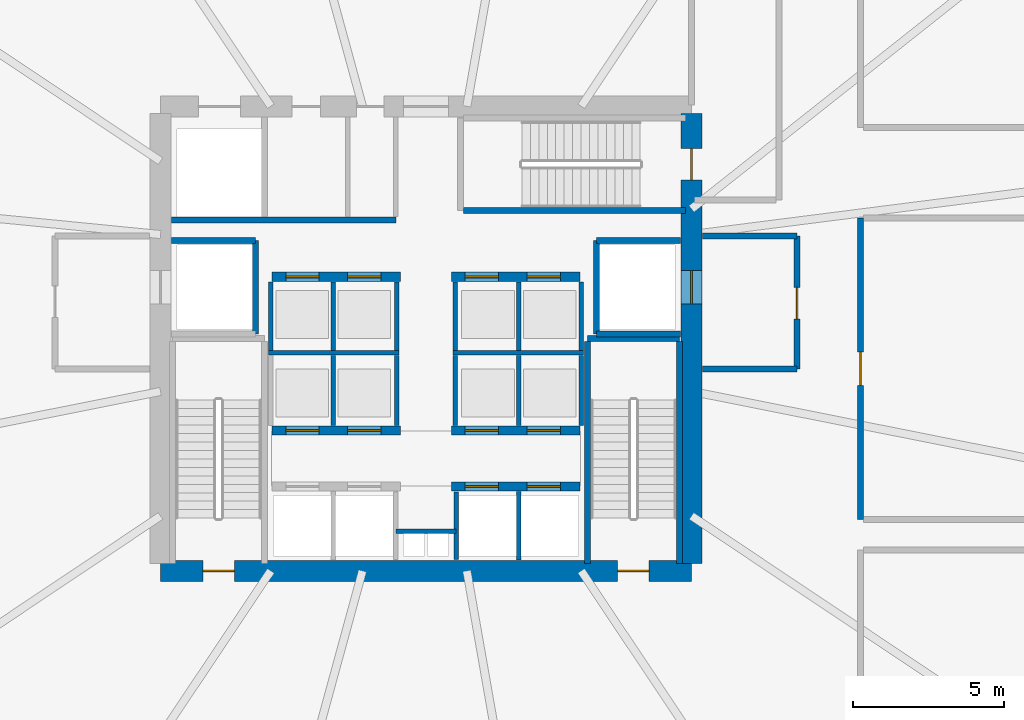
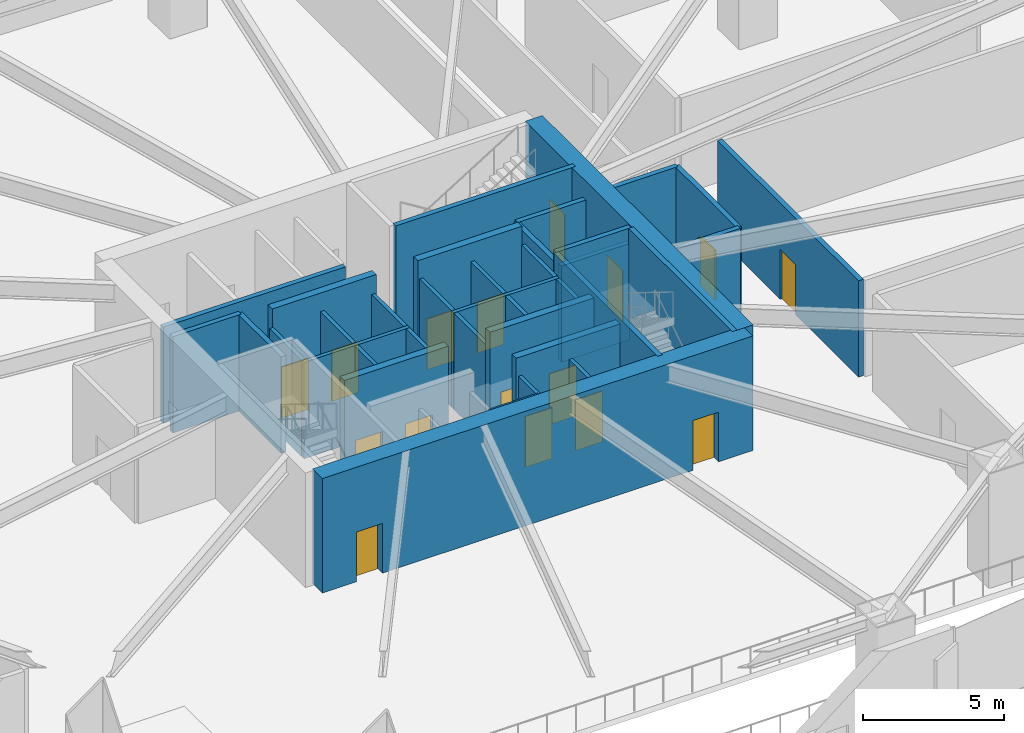
# One storey, part 24 of 35: 37 walls, 16 doors, 16 openings.
"""IFC4 building model written with IfcOpenShell, lengths in metres."""

from ifc_helpers import new_model, si_unit, direction, frame, frame_2d, origin, place, context, subcontext, project, spatial, rectangle, extrude, source, transform, mapped, material, layer, layer_set, type_object, element, fill, save


model = new_model("IFC4")

# Units and contexts
model_context = context("Model", 3, precision=1e-05, world=origin(), true_north=direction((0.0, 1.0)))
body_context = subcontext(model_context, "Body", "Model", "MODEL_VIEW")
ifc_project = project(units=[si_unit("LENGTHUNIT", "METRE"), si_unit("AREAUNIT", "SQUARE_METRE"), si_unit("VOLUMEUNIT", "CUBIC_METRE"), si_unit("PLANEANGLEUNIT", "RADIAN"), si_unit("MASSUNIT", "GRAM", prefix="KILO"), si_unit("THERMODYNAMICTEMPERATUREUNIT", "KELVIN")], contexts=[model_context])

# Site, building, storey
site_placement = place(None, origin())
site = spatial("IfcSite", under=ifc_project, at=site_placement, CompositionType="ELEMENT")
building_placement = place(site_placement, origin())
building = spatial("IfcBuilding", under=site, at=building_placement, Name="Kethvar Cultural Tower", CompositionType="ELEMENT")
storey_placement = place(building_placement, origin())
storey = spatial("IfcBuildingStorey", under=building, at=storey_placement, Name="L00", CompositionType="ELEMENT", Elevation=0.0)

# Wall, openings, doors
ifc_material_1 = material(Name="Concrete C60/75", Category="concrete")
ifc_layer_1 = layer(ifc_material_1, 0.699951171875, Name="Concrete C60/75", Category="concrete")
ifc_layer_set_1 = layer_set([ifc_layer_1], Name="Concrete C60/75 (700 mm)")
wall_type_1 = type_object("IfcWallType", Name="WL-CORE-700", PredefinedType="SHEAR", material=ifc_layer_set_1)
wall_1_placement = place(storey_placement, frame((38.0, 20.10009765625, 0.0), z_axis=(0.0, 0.0, 1.0), x_axis=(1.0, 0.0, 0.0)))
wall_1 = element("IfcWall", 1, at=wall_1_placement, inside=storey, type_object=wall_type_1, Name="L00 Core Shear Wall S", PredefinedType="SHEAR", context=body_context, shape_type="SweptSolid", body=[
    extrude(rectangle(XDim=17.60009765625, YDim=0.699951171875, at=frame_2d((8.800048828125, 0.0))), origin(), (0.0, 0.0, 1.0), 4.949951171875),
])
opening_1_placement = place(wall_1_placement, frame((1.39990234375, 0.0, 0.0)))
opening_1 = element("IfcOpeningElement", 2, at=opening_1_placement, cuts=wall_1, Name="Opening D-L00-S1", PredefinedType="OPENING", context=body_context, shape_type="SweptSolid", body=[
    extrude(rectangle(XDim=1.050048828125, YDim=2.14990234375, at=frame_2d((0.52490234375, 1.074951171875))), frame((0.0, 0.35986328125, 0.0), z_axis=(0.0, -1.0, 0.0), x_axis=(1.0, 0.0, 0.0)), (0.0, 0.0, 1.0), 0.719970703125),
])
opening_2_placement = place(wall_1_placement, frame((15.14990234375, 0.0, 0.0)))
opening_2 = element("IfcOpeningElement", 3, at=opening_2_placement, cuts=wall_1, Name="Opening D-L00-ST2", PredefinedType="OPENING", context=body_context, shape_type="SweptSolid", body=[
    extrude(rectangle(XDim=1.050048828125, YDim=2.14990234375, at=frame_2d((0.52490234375, 1.074951171875))), frame((0.0, 0.35986328125, 0.0), z_axis=(0.0, -1.0, 0.0), x_axis=(1.0, 0.0, 0.0)), (0.0, 0.0, 1.0), 0.719970703125),
])
ifc_material_2 = material(Name="Steel S355J2", Category="steel")
door_type_1 = type_object("IfcDoorType", Name="DR-FD60-1050", OperationType="NOTDEFINED", PredefinedType="DOOR", material=ifc_material_2)
shared_shape_1 = source(origin(), body_context, "Body", "SweptSolid", [
    extrude(rectangle(XDim=1.050048828125, YDim=2.14990234375, at=frame_2d((0.52490234375, 1.074951171875))), frame((0.0, 0.02490234375, 0.0), z_axis=(0.0, -1.0, 0.0), x_axis=(1.0, 0.0, 0.0)), (0.0, 0.0, 1.0), 0.050048828125),
])
door_1_placement = place(opening_1_placement, origin())
door_1 = element("IfcDoor", 4, at=door_1_placement, inside=storey, type_object=door_type_1, Name="L00 Exit Stair 1 Door", OperationType="SINGLE_SWING_LEFT", OverallHeight=2.14990234375, OverallWidth=1.050048828125, PredefinedType="DOOR", context=body_context, shape_type="MappedRepresentation", body=[
    mapped(shared_shape_1, transform((0.0, 0.0, 0.0), scale=1.0)),
])
fill(opening_1, door_1)
door_2_placement = place(opening_2_placement, origin())
door_2 = element("IfcDoor", 5, at=door_2_placement, inside=storey, type_object=door_type_1, Name="L00 Exit Stair 2 Door", OperationType="SINGLE_SWING_RIGHT", OverallHeight=2.14990234375, OverallWidth=1.050048828125, PredefinedType="DOOR", context=body_context, shape_type="MappedRepresentation", body=[
    mapped(shared_shape_1, transform((0.0, 0.0, 0.0), scale=1.0)),
])
fill(opening_2, door_2)

wall_2_placement = place(storey_placement, frame((55.60009765625, 20.340087890625, 0.0), z_axis=(0.0, 0.0, 1.0), x_axis=(0.0, 1.0, 0.0)))
wall_2 = element("IfcWall", 6, at=wall_2_placement, inside=storey, type_object=wall_type_1, Name="L00 Core Shear Wall E", PredefinedType="SHEAR", context=body_context, shape_type="SweptSolid", body=[
    extrude(rectangle(XDim=14.919921875, YDim=0.699951171875, at=frame_2d((7.4599609375, 0.0))), origin(), (0.0, 0.0, 1.0), 4.949951171875),
])
opening_3_placement = place(wall_2_placement, frame((12.7099609375, 0.0, 0.0)))
opening_3 = element("IfcOpeningElement", 7, at=opening_3_placement, cuts=wall_2, Name="Opening D-L00-S3", PredefinedType="OPENING", context=body_context, shape_type="SweptSolid", body=[
    extrude(rectangle(XDim=1.050048828125, YDim=2.14990234375, at=frame_2d((0.52490234375, 1.074951171875))), frame((0.0, 0.35986328125, 0.0), z_axis=(0.0, -1.0, 0.0), x_axis=(1.0, 0.0, 0.0)), (0.0, 0.0, 1.0), 0.719970703125),
])
opening_4_placement = place(wall_2_placement, frame((8.610107421875, 0.0, 0.0)))
opening_4 = element("IfcOpeningElement", 8, at=opening_4_placement, cuts=wall_2, Name="Opening LD-2", PredefinedType="OPENING", context=body_context, shape_type="SweptSolid", body=[
    extrude(rectangle(XDim=1.10009765625, YDim=2.199951171875, at=frame_2d((0.550048828125, 1.10009765625))), frame((0.0, 0.35986328125, 0.0), z_axis=(0.0, -1.0, 0.0), x_axis=(1.0, 0.0, 0.0)), (0.0, 0.0, 1.0), 0.719970703125),
])
door_3_placement = place(opening_3_placement, origin())
door_3 = element("IfcDoor", 9, at=door_3_placement, inside=storey, type_object=door_type_1, Name="L00 Exit Stair 3 Door", OperationType="SINGLE_SWING_LEFT", OverallHeight=2.14990234375, OverallWidth=1.050048828125, PredefinedType="DOOR", context=body_context, shape_type="MappedRepresentation", body=[
    mapped(shared_shape_1, transform((0.0, 0.0, 0.0), scale=1.0)),
])
fill(opening_3, door_3)
door_type_2 = type_object("IfcDoorType", Name="DR-LIFT-SLIDE-1100", OperationType="NOTDEFINED", PredefinedType="DOOR", material=ifc_material_2)
shared_shape_2 = source(origin(), body_context, "Body", "SweptSolid", [
    extrude(rectangle(XDim=1.10009765625, YDim=2.199951171875, at=frame_2d((0.550048828125, 1.10009765625))), frame((0.0, 0.02490234375, 0.0), z_axis=(0.0, -1.0, 0.0), x_axis=(1.0, 0.0, 0.0)), (0.0, 0.0, 1.0), 0.050048828125),
])
door_4_placement = place(opening_4_placement, origin())
door_4 = element("IfcDoor", 10, at=door_4_placement, inside=storey, type_object=door_type_2, Name="L00 Firefighting Lift Landing Door FFL-02", OperationType="SLIDING_TO_RIGHT", OverallHeight=2.199951171875, OverallWidth=1.10009765625, PredefinedType="DOOR", context=body_context, shape_type="MappedRepresentation", body=[
    mapped(shared_shape_2, transform((0.0, 0.0, 0.0), scale=1.0)),
])
fill(opening_4, door_4)

# Walls
ifc_material_3 = material(Name="Gypsum Fireboard Partition")
ifc_layer_2 = layer(ifc_material_3, 0.14990234375, Name="Gypsum Fireboard Partition")
ifc_layer_set_2 = layer_set([ifc_layer_2], Name="Gypsum Fireboard Partition (150 mm)")
wall_type_2 = type_object("IfcWallType", Name="WL-FIRE-150", PredefinedType="PARTITIONING", material=ifc_layer_set_2)
wall_3_placement = place(storey_placement, frame((45.800048828125, 21.419921875, 0.0), z_axis=(0.0, 0.0, 1.0), x_axis=(1.0, 0.0, 0.0)))
element("IfcWall", 11, at=wall_3_placement, inside=storey, type_object=wall_type_2, Name="L00 Core Riser Wall", PredefinedType="PARTITIONING", context=body_context, shape_type="SweptSolid", body=[
    extrude(rectangle(XDim=2.0, YDim=0.14990234375, at=frame_2d((1.0, 0.0))), origin(), (0.0, 0.0, 1.0), 4.1630859375),
])
wall_4_placement = place(storey_placement, frame((47.800048828125, 20.47998046875, 0.0), z_axis=(0.0, 0.0, 1.0), x_axis=(0.0, 1.0, 0.0)))
element("IfcWall", 12, at=wall_4_placement, inside=storey, type_object=wall_type_2, Name="L00 Core Riser East Wall", PredefinedType="PARTITIONING", context=body_context, shape_type="SweptSolid", body=[
    extrude(rectangle(XDim=2.239990234375, YDim=0.14990234375, at=frame_2d((1.1201171875, 0.0))), origin(), (0.0, 0.0, 1.0), 4.1630859375),
])
wall_5_placement = place(storey_placement, frame((49.875, 20.4599609375, 0.0), z_axis=(0.0, 0.0, 1.0), x_axis=(0.0, 1.0, 0.0)))
element("IfcWall", 13, at=wall_5_placement, inside=storey, type_object=wall_type_2, Name="L00 Low-Rise Lift Shaft Divider E", PredefinedType="PARTITIONING", context=body_context, shape_type="SweptSolid", body=[
    extrude(rectangle(XDim=2.27001953125, YDim=0.14990234375, at=frame_2d((1.135009765625, 0.0))), origin(), (0.0, 0.0, 1.0), 4.1630859375),
])
wall_6_placement = place(storey_placement, frame((41.580078125, 27.324951171875, 0.0), z_axis=(0.0, 0.0, 1.0), x_axis=(1.0, 0.0, 0.0)))
element("IfcWall", 14, at=wall_6_placement, inside=storey, type_object=wall_type_2, Name="L00 Mid-High Lift Shaft Back Wall W", PredefinedType="PARTITIONING", context=body_context, shape_type="SweptSolid", body=[
    extrude(rectangle(XDim=4.31982421875, YDim=0.14990234375, at=frame_2d((2.159912109375, 0.0))), origin(), (0.0, 0.0, 1.0), 4.1630859375),
])
wall_7_placement = place(storey_placement, frame((47.699951171875, 27.324951171875, 0.0), z_axis=(0.0, 0.0, 1.0), x_axis=(1.0, 0.0, 0.0)))
element("IfcWall", 15, at=wall_7_placement, inside=storey, type_object=wall_type_2, Name="L00 Mid-High Lift Shaft Back Wall E", PredefinedType="PARTITIONING", context=body_context, shape_type="SweptSolid", body=[
    extrude(rectangle(XDim=4.320068359375, YDim=0.14990234375, at=frame_2d((2.16015625, 0.0))), origin(), (0.0, 0.0, 1.0), 4.1630859375),
])
for number, where, z_axis, x_axis, name in (
    (16, (43.72509765625, 24.919921875, 0.0), (0.0, 0.0, 1.0), (0.0, 1.0, 0.0), "L00 Mid-Rise Lift Shaft Divider W"),
    (17, (45.824951171875, 24.919921875, 0.0), (0.0, 0.0, 1.0), (0.0, 1.0, 0.0), "L00 Mid-Rise Lift Shaft Concourse Wall W"),
    (18, (47.77490234375, 24.919921875, 0.0), (0.0, 0.0, 1.0), (0.0, 1.0, 0.0), "L00 Mid-Rise Lift Shaft Concourse Wall E"),
    (19, (49.875, 24.919921875, 0.0), (0.0, 0.0, 1.0), (0.0, 1.0, 0.0), "L00 Mid-Rise Lift Shaft Divider E"),
    (20, (51.949951171875, 24.919921875, 0.0), (0.0, 0.0, 1.0), (0.0, 1.0, 0.0), "L00 Mid-Rise Lift Shaft Outer Wall E"),
):
    element("IfcWall", number, at=place(storey_placement, frame(where, z_axis=z_axis, x_axis=x_axis)), inside=storey, type_object=wall_type_2, Name=name, PredefinedType="PARTITIONING", context=body_context, shape_type="SweptSolid", body=[
        extrude(rectangle(XDim=2.320068359375, YDim=0.14990234375, at=frame_2d((1.16015625, 0.0))), origin(), (0.0, 0.0, 1.0), 4.1630859375),
    ])
for number, where, z_axis, x_axis, name in (
    (21, (41.64990234375, 27.409912109375, 0.0), (0.0, 0.0, 1.0), (0.0, 1.0, 0.0), "L00 High-Rise Lift Shaft Outer Wall W"),
    (22, (43.72509765625, 27.409912109375, 0.0), (0.0, 0.0, 1.0), (0.0, 1.0, 0.0), "L00 High-Rise Lift Shaft Divider W"),
    (23, (45.824951171875, 27.409912109375, 0.0), (0.0, 0.0, 1.0), (0.0, 1.0, 0.0), "L00 High-Rise Lift Shaft Concourse Wall W"),
    (24, (47.77490234375, 27.409912109375, 0.0), (0.0, 0.0, 1.0), (0.0, 1.0, 0.0), "L00 High-Rise Lift Shaft Concourse Wall E"),
    (25, (49.875, 27.409912109375, 0.0), (0.0, 0.0, 1.0), (0.0, 1.0, 0.0), "L00 High-Rise Lift Shaft Divider E"),
    (26, (51.949951171875, 27.409912109375, 0.0), (0.0, 0.0, 1.0), (0.0, 1.0, 0.0), "L00 High-Rise Lift Shaft Outer Wall E"),
):
    element("IfcWall", number, at=place(storey_placement, frame(where, z_axis=z_axis, x_axis=x_axis)), inside=storey, type_object=wall_type_2, Name=name, PredefinedType="PARTITIONING", context=body_context, shape_type="SweptSolid", body=[
        extrude(rectangle(XDim=2.27001953125, YDim=0.14990234375, at=frame_2d((1.135009765625, 0.0))), origin(), (0.0, 0.0, 1.0), 4.1630859375),
    ])
ifc_material_4 = material(Name="Concrete C40/50", Category="concrete")
ifc_layer_3 = layer(ifc_material_4, 0.199951171875, Name="Concrete C40/50", Category="concrete")
ifc_layer_set_3 = layer_set([ifc_layer_3], Name="Concrete C40/50 (200 mm)")
wall_type_3 = type_object("IfcWallType", Name="WL-FIRE-200", PredefinedType="PARTITIONING", material=ifc_layer_set_3)
wall_8_placement = place(storey_placement, frame((41.14990234375, 27.949951171875, 0.0), z_axis=(0.0, 0.0, 1.0), x_axis=(0.0, 1.0, 0.0)))
element("IfcWall", 27, at=wall_8_placement, inside=storey, type_object=wall_type_3, Name="L00 FFL-01 Shaft Inner Wall", PredefinedType="PARTITIONING", context=body_context, shape_type="SweptSolid", body=[
    extrude(rectangle(XDim=3.10009765625, YDim=0.199951171875, at=frame_2d((1.550048828125, 0.0))), origin(), (0.0, 0.0, 1.0), 4.1630859375),
])
wall_9_placement = place(storey_placement, frame((38.360107421875, 31.050048828125, 0.0), z_axis=(0.0, 0.0, 1.0), x_axis=(1.0, 0.0, 0.0)))
element("IfcWall", 28, at=wall_9_placement, inside=storey, type_object=wall_type_3, Name="L00 FFL-01 Shaft North Wall", PredefinedType="PARTITIONING", context=body_context, shape_type="SweptSolid", body=[
    extrude(rectangle(XDim=2.789794921875, YDim=0.199951171875, at=frame_2d((1.39501953125, 0.0))), origin(), (0.0, 0.0, 1.0), 4.1630859375),
])
wall_10_placement = place(storey_placement, frame((52.449951171875, 27.949951171875, 0.0), z_axis=(0.0, 0.0, 1.0), x_axis=(0.0, 1.0, 0.0)))
element("IfcWall", 29, at=wall_10_placement, inside=storey, type_object=wall_type_3, Name="L00 FFL-02 Shaft Inner Wall", PredefinedType="PARTITIONING", context=body_context, shape_type="SweptSolid", body=[
    extrude(rectangle(XDim=3.10009765625, YDim=0.199951171875, at=frame_2d((1.550048828125, 0.0))), origin(), (0.0, 0.0, 1.0), 4.1630859375),
])
for number, where, z_axis, x_axis, name in (
    (30, (52.449951171875, 27.949951171875, 0.0), (0.0, 0.0, 1.0), (1.0, 0.0, 0.0), "L00 FFL-02 Shaft South Wall"),
    (31, (52.449951171875, 31.050048828125, 0.0), (0.0, 0.0, 1.0), (1.0, 0.0, 0.0), "L00 FFL-02 Shaft North Wall"),
):
    element("IfcWall", number, at=place(storey_placement, frame(where, z_axis=z_axis, x_axis=x_axis)), inside=storey, type_object=wall_type_3, Name=name, PredefinedType="PARTITIONING", context=body_context, shape_type="SweptSolid", body=[
        extrude(rectangle(XDim=2.7900390625, YDim=0.199951171875, at=frame_2d((1.39501953125, 0.0))), origin(), (0.0, 0.0, 1.0), 4.1630859375),
    ])

# Wall, opening, door
wall_11_placement = place(storey_placement, frame((59.10009765625, 26.800048828125, 0.0), z_axis=(0.0, 0.0, 1.0), x_axis=(0.0, 1.0, 0.0)))
wall_11 = element("IfcWall", 32, at=wall_11_placement, inside=storey, type_object=wall_type_3, Name="L00 Firefighting Lobby 2 Wall", PredefinedType="PARTITIONING", context=body_context, shape_type="SweptSolid", body=[
    extrude(rectangle(XDim=4.39990234375, YDim=0.199951171875, at=frame_2d((2.199951171875, 0.0))), origin(), (0.0, 0.0, 1.0), 4.1630859375),
])
opening_5_placement = place(wall_11_placement, frame((1.64990234375, 0.0, 0.0)))
opening_5 = element("IfcOpeningElement", 33, at=opening_5_placement, cuts=wall_11, Name="Opening D-L00-F2", PredefinedType="OPENING", context=body_context, shape_type="SweptSolid", body=[
    extrude(rectangle(XDim=1.050048828125, YDim=2.14990234375, at=frame_2d((0.52490234375, 1.074951171875))), frame((0.0, 0.10986328125, 0.0), z_axis=(0.0, -1.0, 0.0), x_axis=(1.0, 0.0, 0.0)), (0.0, 0.0, 1.0), 0.219970703125),
])
door_5_placement = place(opening_5_placement, origin())
door_5 = element("IfcDoor", 34, at=door_5_placement, inside=storey, type_object=door_type_1, Name="L00 Firefighting Lobby 2 Fire Door", OperationType="SINGLE_SWING_LEFT", OverallHeight=2.14990234375, OverallWidth=1.050048828125, PredefinedType="DOOR", context=body_context, shape_type="MappedRepresentation", body=[
    mapped(shared_shape_1, transform((0.0, 0.0, 0.0), scale=1.0)),
])
fill(opening_5, door_5)

# Walls
for number, where, z_axis, x_axis, name in (
    (35, (55.9599609375, 26.800048828125, 0.0), (0.0, 0.0, 1.0), (1.0, 0.0, 0.0), "L00 FF Lobby 2 South Wall"),
    (36, (55.9599609375, 31.199951171875, 0.0), (0.0, 0.0, 1.0), (1.0, 0.0, 0.0), "L00 FF Lobby 2 North Wall"),
):
    element("IfcWall", number, at=place(storey_placement, frame(where, z_axis=z_axis, x_axis=x_axis)), inside=storey, type_object=wall_type_3, Name=name, PredefinedType="PARTITIONING", context=body_context, shape_type="SweptSolid", body=[
        extrude(rectangle(XDim=3.14013671875, YDim=0.199951171875, at=frame_2d((1.570068359375, 0.0))), origin(), (0.0, 0.0, 1.0), 4.1630859375),
    ])
wall_12_placement = place(storey_placement, frame((38.360107421875, 31.72998046875, 0.0), z_axis=(0.0, 0.0, 1.0), x_axis=(1.0, 0.0, 0.0)))
element("IfcWall", 37, at=wall_12_placement, inside=storey, type_object=wall_type_3, Name="L00 North Core Sanitary South Wall", PredefinedType="PARTITIONING", context=body_context, shape_type="SweptSolid", body=[
    extrude(rectangle(XDim=7.43994140625, YDim=0.199951171875, at=frame_2d((3.719970703125, 0.0))), origin(), (0.0, 0.0, 1.0), 4.1630859375),
])

# Wall, opening, door
wall_13_placement = place(storey_placement, frame((61.199951171875, 21.800048828125, 0.0), z_axis=(0.0, 0.0, 1.0), x_axis=(0.0, 1.0, 0.0)))
wall_13 = element("IfcWall", 38, at=wall_13_placement, inside=storey, type_object=wall_type_3, Name="L00 Orientation Gallery Hall Entry Wall", PredefinedType="PARTITIONING", context=body_context, shape_type="SweptSolid", body=[
    extrude(rectangle(XDim=10.0, YDim=0.199951171875, at=frame_2d((5.0, 0.0))), origin(), (0.0, 0.0, 1.0), 4.1630859375),
])
opening_6_placement = place(wall_13_placement, frame((4.449951171875, 0.0, 0.0)))
opening_6 = element("IfcOpeningElement", 39, at=opening_6_placement, cuts=wall_13, Name="Opening D-L00-GA", PredefinedType="OPENING", context=body_context, shape_type="SweptSolid", body=[
    extrude(rectangle(XDim=1.10009765625, YDim=2.14990234375, at=frame_2d((0.550048828125, 1.074951171875))), frame((0.0, 0.10986328125, 0.0), z_axis=(0.0, -1.0, 0.0), x_axis=(1.0, 0.0, 0.0)), (0.0, 0.0, 1.0), 0.219970703125),
])
door_type_3 = type_object("IfcDoorType", Name="DR-FD60-1100", OperationType="NOTDEFINED", PredefinedType="DOOR", material=ifc_material_2)
shared_shape_3 = source(origin(), body_context, "Body", "SweptSolid", [
    extrude(rectangle(XDim=1.10009765625, YDim=2.14990234375, at=frame_2d((0.550048828125, 1.074951171875))), frame((0.0, 0.02490234375, 0.0), z_axis=(0.0, -1.0, 0.0), x_axis=(1.0, 0.0, 0.0)), (0.0, 0.0, 1.0), 0.050048828125),
])
door_6_placement = place(opening_6_placement, origin())
door_6 = element("IfcDoor", 40, at=door_6_placement, inside=storey, type_object=door_type_3, Name="Orientation Gallery Hall Door", OperationType="SINGLE_SWING_LEFT", OverallHeight=2.14990234375, OverallWidth=1.10009765625, PredefinedType="DOOR", context=body_context, shape_type="MappedRepresentation", body=[
    mapped(shared_shape_3, transform((0.0, 0.0, 0.0), scale=1.0)),
])
fill(opening_6, door_6)

# Wall, openings, doors
ifc_material_5 = material(Name="Concrete C50/60", Category="concrete")
ifc_layer_4 = layer(ifc_material_5, 0.300048828125, Name="Concrete C50/60", Category="concrete")
ifc_layer_set_4 = layer_set([ifc_layer_4], Name="Concrete C50/60 (300 mm)")
wall_type_4 = type_object("IfcWallType", Name="WL-SHAFT-300", PredefinedType="SHEAR", material=ifc_layer_set_4)
wall_14_placement = place(storey_placement, frame((47.64990234375, 22.89990234375, 0.0), z_axis=(0.0, 0.0, 1.0), x_axis=(1.0, 0.0, 0.0)))
wall_14 = element("IfcWall", 41, at=wall_14_placement, inside=storey, type_object=wall_type_4, Name="L00 Core Lift Spine Wall MID1E", PredefinedType="SHEAR", context=body_context, shape_type="SweptSolid", body=[
    extrude(rectangle(XDim=4.25, YDim=0.300048828125, at=frame_2d((2.125, 0.0))), origin(), (0.0, 0.0, 1.0), 4.949951171875),
])
opening_7_placement = place(wall_14_placement, frame((0.449951171875, 0.0, 0.0)))
opening_7 = element("IfcOpeningElement", 42, at=opening_7_placement, cuts=wall_14, Name="Opening LD-L3", PredefinedType="OPENING", context=body_context, shape_type="SweptSolid", body=[
    extrude(rectangle(XDim=1.10009765625, YDim=2.199951171875, at=frame_2d((0.550048828125, 1.10009765625))), frame((0.0, 0.159912109375, 0.0), z_axis=(0.0, -1.0, 0.0), x_axis=(1.0, 0.0, 0.0)), (0.0, 0.0, 1.0), 0.320068359375),
])
opening_8_placement = place(wall_14_placement, frame((2.5, 0.0, 0.0)))
opening_8 = element("IfcOpeningElement", 43, at=opening_8_placement, cuts=wall_14, Name="Opening LD-L4", PredefinedType="OPENING", context=body_context, shape_type="SweptSolid", body=[
    extrude(rectangle(XDim=1.10009765625, YDim=2.199951171875, at=frame_2d((0.550048828125, 1.10009765625))), frame((0.0, 0.159912109375, 0.0), z_axis=(0.0, -1.0, 0.0), x_axis=(1.0, 0.0, 0.0)), (0.0, 0.0, 1.0), 0.320068359375),
])
door_7_placement = place(opening_7_placement, origin())
door_7 = element("IfcDoor", 44, at=door_7_placement, inside=storey, type_object=door_type_2, Name="L00 Low-Rise Lift Landing Door L3", OperationType="SLIDING_TO_LEFT", OverallHeight=2.199951171875, OverallWidth=1.10009765625, PredefinedType="DOOR", context=body_context, shape_type="MappedRepresentation", body=[
    mapped(shared_shape_2, transform((0.0, 0.0, 0.0), scale=1.0)),
])
fill(opening_7, door_7)
door_8_placement = place(opening_8_placement, origin())
door_8 = element("IfcDoor", 45, at=door_8_placement, inside=storey, type_object=door_type_2, Name="L00 Low-Rise Lift Landing Door L4", OperationType="SLIDING_TO_LEFT", OverallHeight=2.199951171875, OverallWidth=1.10009765625, PredefinedType="DOOR", context=body_context, shape_type="MappedRepresentation", body=[
    mapped(shared_shape_2, transform((0.0, 0.0, 0.0), scale=1.0)),
])
fill(opening_8, door_8)

wall_15_placement = place(storey_placement, frame((41.699951171875, 24.75, 0.0), z_axis=(0.0, 0.0, 1.0), x_axis=(1.0, 0.0, 0.0)))
wall_15 = element("IfcWall", 46, at=wall_15_placement, inside=storey, type_object=wall_type_4, Name="L00 Core Lift Spine Wall MID2W", PredefinedType="SHEAR", context=body_context, shape_type="SweptSolid", body=[
    extrude(rectangle(XDim=4.25, YDim=0.300048828125, at=frame_2d((2.125, 0.0))), origin(), (0.0, 0.0, 1.0), 4.949951171875),
])
opening_9_placement = place(wall_15_placement, frame((0.449951171875, 0.0, 0.0)))
opening_9 = element("IfcOpeningElement", 47, at=opening_9_placement, cuts=wall_15, Name="Opening LD-M1", PredefinedType="OPENING", context=body_context, shape_type="SweptSolid", body=[
    extrude(rectangle(XDim=1.10009765625, YDim=2.199951171875, at=frame_2d((0.550048828125, 1.10009765625))), frame((0.0, 0.159912109375, 0.0), z_axis=(0.0, -1.0, 0.0), x_axis=(1.0, 0.0, 0.0)), (0.0, 0.0, 1.0), 0.320068359375),
])
opening_10_placement = place(wall_15_placement, frame((2.5, 0.0, 0.0)))
opening_10 = element("IfcOpeningElement", 48, at=opening_10_placement, cuts=wall_15, Name="Opening LD-M2", PredefinedType="OPENING", context=body_context, shape_type="SweptSolid", body=[
    extrude(rectangle(XDim=1.10009765625, YDim=2.199951171875, at=frame_2d((0.550048828125, 1.10009765625))), frame((0.0, 0.159912109375, 0.0), z_axis=(0.0, -1.0, 0.0), x_axis=(1.0, 0.0, 0.0)), (0.0, 0.0, 1.0), 0.320068359375),
])
door_9_placement = place(opening_9_placement, origin())
door_9 = element("IfcDoor", 49, at=door_9_placement, inside=storey, type_object=door_type_2, Name="L00 Mid-Rise Lift Landing Door M1", OperationType="SLIDING_TO_RIGHT", OverallHeight=2.199951171875, OverallWidth=1.10009765625, PredefinedType="DOOR", context=body_context, shape_type="MappedRepresentation", body=[
    mapped(shared_shape_2, transform((0.0, 0.0, 0.0), scale=1.0)),
])
fill(opening_9, door_9)
door_10_placement = place(opening_10_placement, origin())
door_10 = element("IfcDoor", 50, at=door_10_placement, inside=storey, type_object=door_type_2, Name="L00 Mid-Rise Lift Landing Door M2", OperationType="SLIDING_TO_RIGHT", OverallHeight=2.199951171875, OverallWidth=1.10009765625, PredefinedType="DOOR", context=body_context, shape_type="MappedRepresentation", body=[
    mapped(shared_shape_2, transform((0.0, 0.0, 0.0), scale=1.0)),
])
fill(opening_10, door_10)

wall_16_placement = place(storey_placement, frame((47.64990234375, 24.75, 0.0), z_axis=(0.0, 0.0, 1.0), x_axis=(1.0, 0.0, 0.0)))
wall_16 = element("IfcWall", 51, at=wall_16_placement, inside=storey, type_object=wall_type_4, Name="L00 Core Lift Spine Wall MID2E", PredefinedType="SHEAR", context=body_context, shape_type="SweptSolid", body=[
    extrude(rectangle(XDim=4.25, YDim=0.300048828125, at=frame_2d((2.125, 0.0))), origin(), (0.0, 0.0, 1.0), 4.949951171875),
])
opening_11_placement = place(wall_16_placement, frame((0.449951171875, 0.0, 0.0)))
opening_11 = element("IfcOpeningElement", 52, at=opening_11_placement, cuts=wall_16, Name="Opening LD-M3", PredefinedType="OPENING", context=body_context, shape_type="SweptSolid", body=[
    extrude(rectangle(XDim=1.10009765625, YDim=2.199951171875, at=frame_2d((0.550048828125, 1.10009765625))), frame((0.0, 0.159912109375, 0.0), z_axis=(0.0, -1.0, 0.0), x_axis=(1.0, 0.0, 0.0)), (0.0, 0.0, 1.0), 0.320068359375),
])
opening_12_placement = place(wall_16_placement, frame((2.5, 0.0, 0.0)))
opening_12 = element("IfcOpeningElement", 53, at=opening_12_placement, cuts=wall_16, Name="Opening LD-M4", PredefinedType="OPENING", context=body_context, shape_type="SweptSolid", body=[
    extrude(rectangle(XDim=1.10009765625, YDim=2.199951171875, at=frame_2d((0.550048828125, 1.10009765625))), frame((0.0, 0.159912109375, 0.0), z_axis=(0.0, -1.0, 0.0), x_axis=(1.0, 0.0, 0.0)), (0.0, 0.0, 1.0), 0.320068359375),
])
door_11_placement = place(opening_11_placement, origin())
door_11 = element("IfcDoor", 54, at=door_11_placement, inside=storey, type_object=door_type_2, Name="L00 Mid-Rise Lift Landing Door M3", OperationType="SLIDING_TO_RIGHT", OverallHeight=2.199951171875, OverallWidth=1.10009765625, PredefinedType="DOOR", context=body_context, shape_type="MappedRepresentation", body=[
    mapped(shared_shape_2, transform((0.0, 0.0, 0.0), scale=1.0)),
])
fill(opening_11, door_11)
door_12_placement = place(opening_12_placement, origin())
door_12 = element("IfcDoor", 55, at=door_12_placement, inside=storey, type_object=door_type_2, Name="L00 Mid-Rise Lift Landing Door M4", OperationType="SLIDING_TO_RIGHT", OverallHeight=2.199951171875, OverallWidth=1.10009765625, PredefinedType="DOOR", context=body_context, shape_type="MappedRepresentation", body=[
    mapped(shared_shape_2, transform((0.0, 0.0, 0.0), scale=1.0)),
])
fill(opening_12, door_12)

wall_17_placement = place(storey_placement, frame((41.699951171875, 29.85009765625, 0.0), z_axis=(0.0, 0.0, 1.0), x_axis=(1.0, 0.0, 0.0)))
wall_17 = element("IfcWall", 56, at=wall_17_placement, inside=storey, type_object=wall_type_4, Name="L00 Core Lift Spine Wall MID3W", PredefinedType="SHEAR", context=body_context, shape_type="SweptSolid", body=[
    extrude(rectangle(XDim=4.25, YDim=0.300048828125, at=frame_2d((2.125, 0.0))), origin(), (0.0, 0.0, 1.0), 4.949951171875),
])
opening_13_placement = place(wall_17_placement, frame((0.449951171875, 0.0, 0.0)))
opening_13 = element("IfcOpeningElement", 57, at=opening_13_placement, cuts=wall_17, Name="Opening LD-H1", PredefinedType="OPENING", context=body_context, shape_type="SweptSolid", body=[
    extrude(rectangle(XDim=1.10009765625, YDim=2.199951171875, at=frame_2d((0.550048828125, 1.10009765625))), frame((0.0, 0.159912109375, 0.0), z_axis=(0.0, -1.0, 0.0), x_axis=(1.0, 0.0, 0.0)), (0.0, 0.0, 1.0), 0.320068359375),
])
opening_14_placement = place(wall_17_placement, frame((2.5, 0.0, 0.0)))
opening_14 = element("IfcOpeningElement", 58, at=opening_14_placement, cuts=wall_17, Name="Opening LD-H2", PredefinedType="OPENING", context=body_context, shape_type="SweptSolid", body=[
    extrude(rectangle(XDim=1.10009765625, YDim=2.199951171875, at=frame_2d((0.550048828125, 1.10009765625))), frame((0.0, 0.159912109375, 0.0), z_axis=(0.0, -1.0, 0.0), x_axis=(1.0, 0.0, 0.0)), (0.0, 0.0, 1.0), 0.320068359375),
])
door_13_placement = place(opening_13_placement, origin())
door_13 = element("IfcDoor", 59, at=door_13_placement, inside=storey, type_object=door_type_2, Name="L00 High-Rise Lift Landing Door H1", OperationType="SLIDING_TO_LEFT", OverallHeight=2.199951171875, OverallWidth=1.10009765625, PredefinedType="DOOR", context=body_context, shape_type="MappedRepresentation", body=[
    mapped(shared_shape_2, transform((0.0, 0.0, 0.0), scale=1.0)),
])
fill(opening_13, door_13)
door_14_placement = place(opening_14_placement, origin())
door_14 = element("IfcDoor", 60, at=door_14_placement, inside=storey, type_object=door_type_2, Name="L00 High-Rise Lift Landing Door H2", OperationType="SLIDING_TO_LEFT", OverallHeight=2.199951171875, OverallWidth=1.10009765625, PredefinedType="DOOR", context=body_context, shape_type="MappedRepresentation", body=[
    mapped(shared_shape_2, transform((0.0, 0.0, 0.0), scale=1.0)),
])
fill(opening_14, door_14)

wall_18_placement = place(storey_placement, frame((47.64990234375, 29.85009765625, 0.0), z_axis=(0.0, 0.0, 1.0), x_axis=(1.0, 0.0, 0.0)))
wall_18 = element("IfcWall", 61, at=wall_18_placement, inside=storey, type_object=wall_type_4, Name="L00 Core Lift Spine Wall MID3E", PredefinedType="SHEAR", context=body_context, shape_type="SweptSolid", body=[
    extrude(rectangle(XDim=4.25, YDim=0.300048828125, at=frame_2d((2.125, 0.0))), origin(), (0.0, 0.0, 1.0), 4.949951171875),
])
opening_15_placement = place(wall_18_placement, frame((0.449951171875, 0.0, 0.0)))
opening_15 = element("IfcOpeningElement", 62, at=opening_15_placement, cuts=wall_18, Name="Opening LD-H3", PredefinedType="OPENING", context=body_context, shape_type="SweptSolid", body=[
    extrude(rectangle(XDim=1.10009765625, YDim=2.199951171875, at=frame_2d((0.550048828125, 1.10009765625))), frame((0.0, 0.159912109375, 0.0), z_axis=(0.0, -1.0, 0.0), x_axis=(1.0, 0.0, 0.0)), (0.0, 0.0, 1.0), 0.320068359375),
])
opening_16_placement = place(wall_18_placement, frame((2.5, 0.0, 0.0)))
opening_16 = element("IfcOpeningElement", 63, at=opening_16_placement, cuts=wall_18, Name="Opening LD-H4", PredefinedType="OPENING", context=body_context, shape_type="SweptSolid", body=[
    extrude(rectangle(XDim=1.10009765625, YDim=2.199951171875, at=frame_2d((0.550048828125, 1.10009765625))), frame((0.0, 0.159912109375, 0.0), z_axis=(0.0, -1.0, 0.0), x_axis=(1.0, 0.0, 0.0)), (0.0, 0.0, 1.0), 0.320068359375),
])
door_15_placement = place(opening_15_placement, origin())
door_15 = element("IfcDoor", 64, at=door_15_placement, inside=storey, type_object=door_type_2, Name="L00 High-Rise Lift Landing Door H3", OperationType="SLIDING_TO_LEFT", OverallHeight=2.199951171875, OverallWidth=1.10009765625, PredefinedType="DOOR", context=body_context, shape_type="MappedRepresentation", body=[
    mapped(shared_shape_2, transform((0.0, 0.0, 0.0), scale=1.0)),
])
fill(opening_15, door_15)
door_16_placement = place(opening_16_placement, origin())
door_16 = element("IfcDoor", 65, at=door_16_placement, inside=storey, type_object=door_type_2, Name="L00 High-Rise Lift Landing Door H4", OperationType="SLIDING_TO_LEFT", OverallHeight=2.199951171875, OverallWidth=1.10009765625, PredefinedType="DOOR", context=body_context, shape_type="MappedRepresentation", body=[
    mapped(shared_shape_2, transform((0.0, 0.0, 0.0), scale=1.0)),
])
fill(opening_16, door_16)

# Walls
ifc_layer_5 = layer(ifc_material_5, 0.199951171875, Name="Concrete C50/60", Category="concrete")
ifc_layer_set_5 = layer_set([ifc_layer_5], Name="Concrete C50/60 (200 mm)")
wall_type_5 = type_object("IfcWallType", Name="WL-STSHAFT-200", PredefinedType="SHEAR", material=ifc_layer_set_5)
wall_19_placement = place(storey_placement, frame((52.14990234375, 27.800048828125, 0.0), z_axis=(0.0, 0.0, 1.0), x_axis=(1.0, 0.0, 0.0)))
element("IfcWall", 66, at=wall_19_placement, inside=storey, type_object=wall_type_5, Name="L00 ST-02 Stair Shaft Wall FAR", PredefinedType="SHEAR", context=body_context, shape_type="SweptSolid", body=[
    extrude(rectangle(XDim=3.06005859375, YDim=0.199951171875, at=frame_2d((1.530029296875, 0.0))), origin(), (0.0, 0.0, 1.0), 4.949951171875),
])
for number, where, z_axis, x_axis, name in (
    (67, (55.2099609375, 27.699951171875, 0.0), (0.0, 0.0, 1.0), (0.0, -1.0, 0.0), "L00 ST-02 Stair Shaft Wall LEFT"),
    (68, (52.14990234375, 20.35009765625, 0.0), (0.0, 0.0, 1.0), (0.0, 1.0, 0.0), "L00 ST-02 Stair Shaft Wall RIGHT"),
    (69, (55.39990234375, 32.050048828125, 0.0), (0.0, 0.0, 1.0), (-1.0, 0.0, 0.0), "L00 ST-03 Stair Shaft Wall RIGHT"),
):
    element("IfcWall", number, at=place(storey_placement, frame(where, z_axis=z_axis, x_axis=x_axis)), inside=storey, type_object=wall_type_5, Name=name, PredefinedType="SHEAR", context=body_context, shape_type="SweptSolid", body=[
        extrude(rectangle(XDim=7.349853515625, YDim=0.199951171875, at=frame_2d((3.6748046875, 0.0))), origin(), (0.0, 0.0, 1.0), 4.949951171875),
    ])

save(model, "model.ifc")
